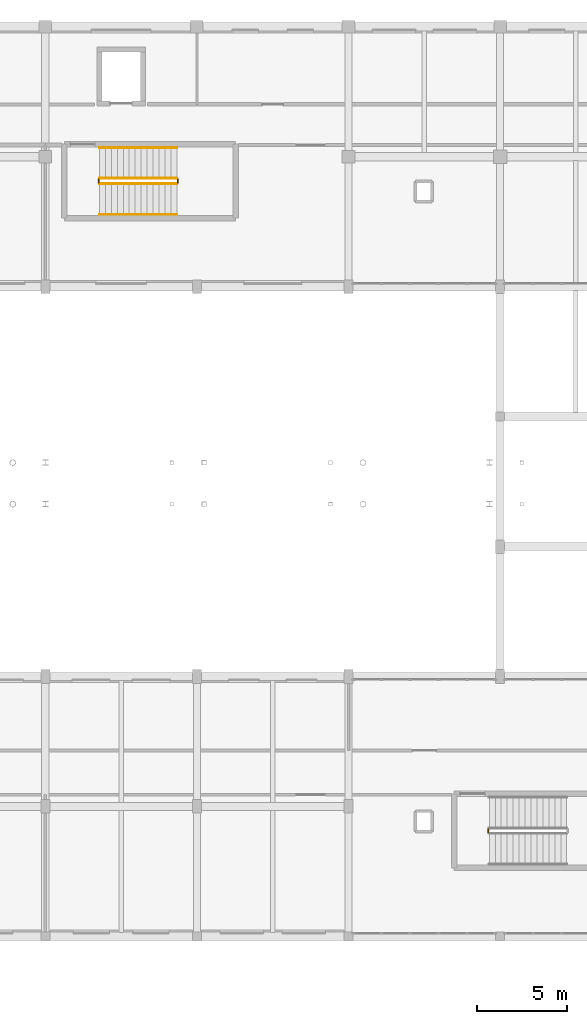
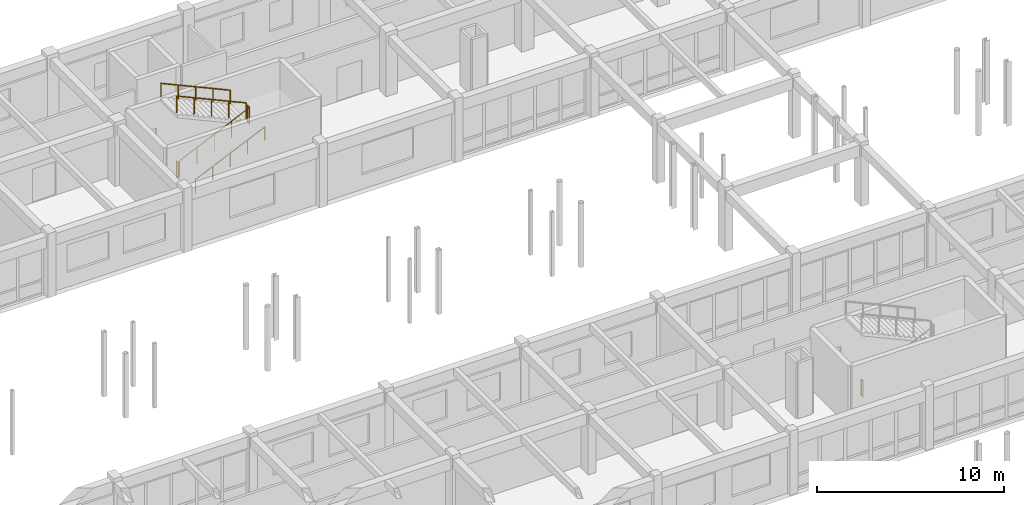
# One storey, part 88 of 90: 7 railings.
"""IFC4 building model written with IfcOpenShell, lengths in metres."""

from ifc_helpers import new_model, si_unit, direction, frame, origin, origin_2d, place, context, subcontext, project, spatial, circle, extrude, material, layer, layer_set, type_object, element, save


model = new_model("IFC4")

# Units and contexts
model_context = context("Model", 3, precision=1e-05, world=origin(), true_north=direction((0.0, 1.0)))
body_context = subcontext(model_context, "Body", "Model", "MODEL_VIEW")
ifc_project = project(units=[si_unit("LENGTHUNIT", "METRE"), si_unit("AREAUNIT", "SQUARE_METRE"), si_unit("VOLUMEUNIT", "CUBIC_METRE"), si_unit("PLANEANGLEUNIT", "RADIAN"), si_unit("MASSUNIT", "GRAM", prefix="KILO")], contexts=[model_context])

# Site, building, storey
site_placement = place(None, origin())
site = spatial("IfcSite", under=ifc_project, at=site_placement, CompositionType="ELEMENT")
building_placement = place(site_placement, origin())
building = spatial("IfcBuilding", under=site, at=building_placement, Name="Malvenik Polytechnic", CompositionType="ELEMENT")
storey_placement = place(building_placement, frame((0.0, 0.0, 9.300048828125)))
storey = spatial("IfcBuildingStorey", under=building, at=storey_placement, Name="L02", CompositionType="ELEMENT", Elevation=9.300048828125)

# Railings
ifc_material_1 = material(Name="Painted galvanised steel stair well balustrade 1100mm", Category="steel")
ifc_layer_1 = layer(ifc_material_1, 0.050048828125)
ifc_layer_set_1 = layer_set([ifc_layer_1], Name="Painted galvanised steel stair well balustrade 1100mm")
railing_type_1 = type_object("IfcRailingType", Name="ARC-RL-STGD", PredefinedType="BALUSTRADE", material=ifc_layer_set_1)
railing_1_placement = place(storey_placement, frame((53.39990234375, 120.89990234375, 0.14990234375)))
element("IfcRailing", 1, at=railing_1_placement, inside=storey, type_object=railing_type_1, Name="L02 ST-02 stair guard 1", PredefinedType="BALUSTRADE", context=body_context, shape_type="SweptSolid", body=[
    extrude(circle(Radius=0.02392578125, at=origin_2d()), frame((0.0, 0.0, 1.076171875), z_axis=(0.910371800137, 0.0, 0.413791234219), x_axis=(0.0, 1.0, 0.0)), (0.0, 0.0, 1.0), 4.71240234375),
    extrude(circle(Radius=0.02099609375, at=origin_2d()), origin(), (0.0, 0.0, 1.0), 1.052001953125),
    extrude(circle(Radius=0.02099609375, at=origin_2d()), frame((1.072509765625, 0.0, 0.487548828125)), (0.0, 0.0, 1.0), 1.052001953125),
    extrude(circle(Radius=0.02099609375, at=origin_2d()), frame((2.14501953125, 0.0, 0.97509765625)), (0.0, 0.0, 1.0), 1.052001953125),
    extrude(circle(Radius=0.02099609375, at=origin_2d()), frame((3.217529296875, 0.0, 1.46240234375)), (0.0, 0.0, 1.0), 1.052001953125),
    extrude(circle(Radius=0.02099609375, at=origin_2d()), frame((4.2900390625, 0.0, 1.949951171875)), (0.0, 0.0, 1.0), 1.052001953125),
])
railing_2_placement = place(storey_placement, frame((57.739990234375, 120.949951171875, 2.099853515625)))
element("IfcRailing", 2, at=railing_2_placement, inside=storey, type_object=railing_type_1, Name="L02 ST-02 stair guard 2", PredefinedType="BALUSTRADE", context=body_context, shape_type="SweptSolid", body=[
    extrude(circle(Radius=0.02392578125, at=origin_2d()), frame((0.0, 0.0, 1.076171875), z_axis=(0.0, 1.0, 0.0), x_axis=(-1.0, 0.0, 0.0)), (0.0, 0.0, 1.0), 0.199951171875),
    extrude(circle(Radius=0.02099609375, at=origin_2d()), origin(), (0.0, 0.0, 1.0), 1.052001953125),
    extrude(circle(Radius=0.02099609375, at=origin_2d()), frame((0.0, 0.199951171875, 0.0)), (0.0, 0.0, 1.0), 1.052001953125),
])
railing_3_placement = place(storey_placement, frame((57.68994140625, 121.199951171875, 2.25)))
element("IfcRailing", 3, at=railing_3_placement, inside=storey, type_object=railing_type_1, Name="L02 ST-02 stair guard 3", PredefinedType="BALUSTRADE", context=body_context, shape_type="SweptSolid", body=[
    extrude(circle(Radius=0.02392578125, at=origin_2d()), frame((0.0, 0.0, 1.076171875), z_axis=(-0.910371800137, 0.0, 0.413791234219), x_axis=(0.0, -1.0, 0.0)), (0.0, 0.0, 1.0), 4.71240234375),
    extrude(circle(Radius=0.02099609375, at=origin_2d()), origin(), (0.0, 0.0, 1.0), 1.052001953125),
    extrude(circle(Radius=0.02099609375, at=origin_2d()), frame((-1.072509765625, 0.0, 0.487548828125)), (0.0, 0.0, 1.0), 1.052001953125),
    extrude(circle(Radius=0.02099609375, at=origin_2d()), frame((-2.14501953125, 0.0, 0.97509765625)), (0.0, 0.0, 1.0), 1.052001953125),
    extrude(circle(Radius=0.02099609375, at=origin_2d()), frame((-3.217529296875, 0.0, 1.46240234375)), (0.0, 0.0, 1.0), 1.052001953125),
    extrude(circle(Radius=0.02099609375, at=origin_2d()), frame((-4.2900390625, 0.0, 1.949951171875)), (0.0, 0.0, 1.0), 1.052001953125),
])
for number, where, name in (
    (4, (53.35009765625, 120.949951171875, 0.0), "L02 ST-02 stair guard 4"),
    (5, (74.949951171875, 84.949951171875, 0.0), "L02 ST-05 stair guard 4"),
):
    element("IfcRailing", number, at=place(storey_placement, frame(where)), inside=storey, type_object=railing_type_1, Name=name, PredefinedType="BALUSTRADE", context=body_context, shape_type="SweptSolid", body=[
        extrude(circle(Radius=0.02392578125, at=origin_2d()), frame((0.0, 0.0, 1.076171875), z_axis=(0.0, 1.0, 0.0), x_axis=(-1.0, 0.0, 0.0)), (0.0, 0.0, 1.0), 0.199951171875),
        extrude(circle(Radius=0.02099609375, at=origin_2d()), origin(), (0.0, 0.0, 1.0), 1.052001953125),
        extrude(circle(Radius=0.02099609375, at=origin_2d()), frame((0.0, 0.199951171875, 0.0)), (0.0, 0.0, 1.0), 1.052001953125),
    ])
ifc_material_2 = material(Name="Brushed stainless steel 1.4301 stair wall handrail", Category="steel")
ifc_layer_2 = layer(ifc_material_2, 0.044921875)
ifc_layer_set_2 = layer_set([ifc_layer_2], Name="Brushed stainless steel 1.4301 stair wall handrail")
railing_type_2 = type_object("IfcRailingType", Name="ARC-RL-STHR", PredefinedType="HANDRAIL", material=ifc_layer_set_2)
railing_4_placement = place(storey_placement, frame((53.39990234375, 119.199951171875, 0.14990234375)))
element("IfcRailing", 6, at=railing_4_placement, inside=storey, type_object=railing_type_2, Name="L02 ST-02 stair handrail 1", PredefinedType="HANDRAIL", context=body_context, shape_type="SweptSolid", body=[
    extrude(circle(Radius=0.02392578125, at=origin_2d()), frame((0.0, 0.0, 0.8759765625), z_axis=(0.910371800137, 0.0, 0.413791234219), x_axis=(0.0, 1.0, 0.0)), (0.0, 0.0, 1.0), 4.71240234375),
    extrude(circle(Radius=0.02099609375, at=origin_2d()), origin(), (0.0, 0.0, 1.0), 0.851806640625),
    extrude(circle(Radius=0.02099609375, at=origin_2d()), frame((1.072509765625, 0.0, 0.487548828125)), (0.0, 0.0, 1.0), 0.851806640625),
    extrude(circle(Radius=0.02099609375, at=origin_2d()), frame((2.14501953125, 0.0, 0.97509765625)), (0.0, 0.0, 1.0), 0.851806640625),
    extrude(circle(Radius=0.02099609375, at=origin_2d()), frame((3.217529296875, 0.0, 1.46240234375)), (0.0, 0.0, 1.0), 0.851806640625),
    extrude(circle(Radius=0.02099609375, at=origin_2d()), frame((4.2900390625, 0.0, 1.949951171875)), (0.0, 0.0, 1.0), 0.851806640625),
])
railing_5_placement = place(storey_placement, frame((57.68994140625, 122.89990234375, 2.25)))
element("IfcRailing", 7, at=railing_5_placement, inside=storey, type_object=railing_type_2, Name="L02 ST-02 stair handrail 2", PredefinedType="HANDRAIL", context=body_context, shape_type="SweptSolid", body=[
    extrude(circle(Radius=0.02392578125, at=origin_2d()), frame((0.0, 0.0, 0.8759765625), z_axis=(-0.910371800137, 0.0, 0.413791234219), x_axis=(0.0, -1.0, 0.0)), (0.0, 0.0, 1.0), 4.71240234375),
    extrude(circle(Radius=0.02099609375, at=origin_2d()), origin(), (0.0, 0.0, 1.0), 0.851806640625),
    extrude(circle(Radius=0.02099609375, at=origin_2d()), frame((-1.072509765625, 0.0, 0.487548828125)), (0.0, 0.0, 1.0), 0.851806640625),
    extrude(circle(Radius=0.02099609375, at=origin_2d()), frame((-2.14501953125, 0.0, 0.97509765625)), (0.0, 0.0, 1.0), 0.851806640625),
    extrude(circle(Radius=0.02099609375, at=origin_2d()), frame((-3.217529296875, 0.0, 1.46240234375)), (0.0, 0.0, 1.0), 0.851806640625),
    extrude(circle(Radius=0.02099609375, at=origin_2d()), frame((-4.2900390625, 0.0, 1.949951171875)), (0.0, 0.0, 1.0), 0.851806640625),
])

save(model, "model.ifc")
